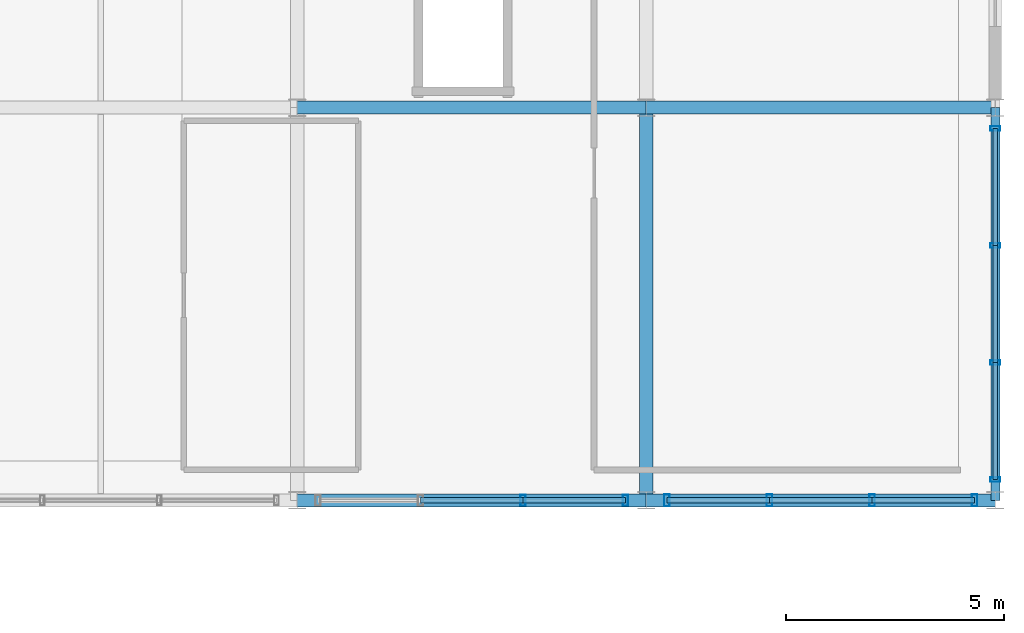
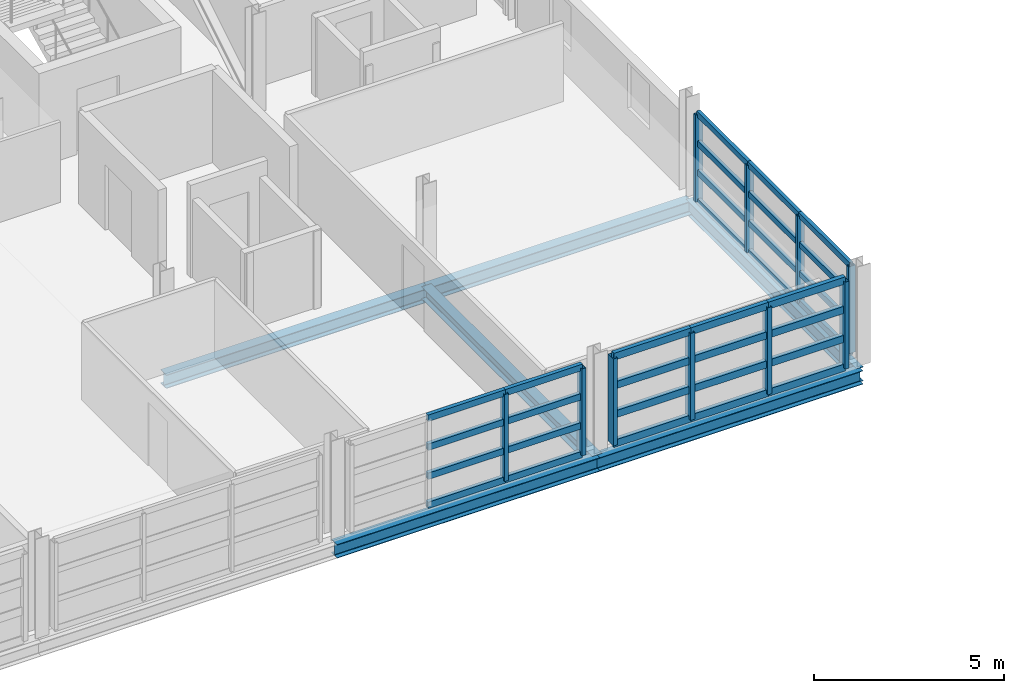
# One storey, part 43 of 86: 42 members, 6 beams, 3 elements without a shape of their own.
"""IFC4 building model written with IfcOpenShell, lengths in metres."""

from ifc_helpers import new_model, si_unit, direction, frame, origin, origin_2d, place, context, subcontext, project, spatial, hollow_rectangle, i_section, extrude, material, material_profile, profile_set, type_object, element, aggregate, save


model = new_model("IFC4")

# Units and contexts
model_context = context("Model", 3, precision=1e-05, world=origin(), true_north=direction((0.0, 1.0)))
body_context = subcontext(model_context, "Body", "Model", "MODEL_VIEW")
ifc_project = project(units=[si_unit("LENGTHUNIT", "METRE"), si_unit("AREAUNIT", "SQUARE_METRE"), si_unit("VOLUMEUNIT", "CUBIC_METRE"), si_unit("PLANEANGLEUNIT", "RADIAN"), si_unit("MASSUNIT", "GRAM", prefix="KILO")], contexts=[model_context])

# Site, building, storey
site_placement = place(None, origin())
site = spatial("IfcSite", under=ifc_project, at=site_placement, CompositionType="ELEMENT")
building_placement = place(site_placement, origin())
building = spatial("IfcBuilding", under=site, at=building_placement, Name="Chuanluo Vaults Station", CompositionType="ELEMENT")
storey_placement = place(building_placement, frame((0.0, 0.0, 14.39990234375)))
storey = spatial("IfcBuildingStorey", under=building, at=storey_placement, Name="L03", CompositionType="ELEMENT", Elevation=14.39990234375)

# Beams
ifc_material_1 = material(Name="Steel Q355C", Category="steel")
ifc_material_profile_1 = material_profile(ifc_material_1, i_section(OverallWidth=0.300048828125, OverallDepth=0.389892578125, WebThickness=0.010009765625, FlangeThickness=0.01611328125, FilletRadius=0.02001953125, at=origin_2d()))
ifc_profile_set_1 = profile_set([ifc_material_profile_1], Name="Steel Q355C")
beam_type_1 = type_object("IfcBeamType", Name="BM-GRD-400", PredefinedType="BEAM", material=ifc_profile_set_1)
beam_1_placement = place(storey_placement, frame((180.0, 67.5, -0.414794921875), z_axis=(0.0, 1.0, 0.0), x_axis=(-1.0, 0.0, 0.0)))
element("IfcBeam", 1, at=beam_1_placement, inside=storey, type_object=beam_type_1, Name="Floor girder BM:GY:L03:0828", PredefinedType="BEAM", context=body_context, shape_type="SweptSolid", body=[
    extrude(i_section(OverallWidth=0.300048828125, OverallDepth=0.389892578125, WebThickness=0.010009765625, FlangeThickness=0.01611328125, FilletRadius=0.02001953125, at=origin_2d()), origin(), (0.0, 0.0, 1.0), 9.0),
])
ifc_material_2 = material(Name="Steel Q355C", Category="steel")
ifc_material_profile_2 = material_profile(ifc_material_2, i_section(OverallWidth=0.300048828125, OverallDepth=0.43994140625, WebThickness=0.010986328125, FlangeThickness=0.01806640625, FilletRadius=0.02001953125, at=origin_2d()))
ifc_profile_set_2 = profile_set([ifc_material_profile_2], Name="Steel Q355C")
beam_type_2 = type_object("IfcBeamType", Name="BM-GRD-450", PredefinedType="USERDEFINED", material=ifc_profile_set_2)
for number, where, z_axis, x_axis, name in (
    (2, (172.0, 67.5, -0.43994140625), (1.0, 0.0, 0.0), (0.0, 1.0, 0.0), "Floor girder BM:GX:L03:0737"),
    (3, (180.0, 67.5, -0.43994140625), (1.0, 0.0, 0.0), (0.0, 1.0, 0.0), "Floor girder BM:GX:L03:0738"),
    (4, (172.0, 76.5, -0.43994140625), (1.0, 0.0, 0.0), (0.0, 1.0, 0.0), "Floor girder BM:GX:L03:0742"),
    (5, (180.0, 76.5, -0.43994140625), (1.0, 0.0, 0.0), (0.0, 1.0, 0.0), "Floor girder BM:GX:L03:0743"),
):
    element("IfcBeam", number, at=place(storey_placement, frame(where, z_axis=z_axis, x_axis=x_axis)), inside=storey, type_object=beam_type_2, Name=name, ObjectType="GIRDER", PredefinedType="USERDEFINED", context=body_context, shape_type="SweptSolid", body=[
        extrude(i_section(OverallWidth=0.300048828125, OverallDepth=0.43994140625, WebThickness=0.010986328125, FlangeThickness=0.01806640625, FilletRadius=0.02001953125, at=origin_2d()), origin(), (0.0, 0.0, 1.0), 8.0),
    ])
ifc_material_3 = material(Name="Steel Q355C", Category="steel")
ifc_material_profile_3 = material_profile(ifc_material_3, i_section(OverallWidth=0.205078125, OverallDepth=0.4599609375, WebThickness=0.009033203125, FlangeThickness=0.013916015625, FilletRadius=0.01611328125, at=origin_2d()))
ifc_profile_set_3 = profile_set([ifc_material_profile_3], Name="Steel Q355C")
beam_type_3 = type_object("IfcBeamType", Name="BM-SPN-450", PredefinedType="SPANDREL", material=ifc_profile_set_3)
beam_2_placement = place(storey_placement, frame((188.0, 67.5, -0.449951171875), z_axis=(0.0, 1.0, 0.0), x_axis=(-1.0, 0.0, 0.0)))
element("IfcBeam", 6, at=beam_2_placement, inside=storey, type_object=beam_type_3, Name="Floor girder BM:GY:L03:0834", PredefinedType="SPANDREL", context=body_context, shape_type="SweptSolid", body=[
    extrude(i_section(OverallWidth=0.205078125, OverallDepth=0.4599609375, WebThickness=0.009033203125, FlangeThickness=0.013916015625, FilletRadius=0.01611328125, at=origin_2d()), origin(), (0.0, 0.0, 1.0), 9.0),
])

# Curtain wall, members
ifc_material_4 = material(Name="Anodised aluminium 6063-T6", Category="aluminium")
curtain_wall_type_1 = type_object("IfcCurtainWallType", Name="CW-SYS-08", PredefinedType="NOTDEFINED", material=ifc_material_4)
curtain_wall_1_placement = place(storey_placement, origin())
curtain_wall_1 = element("IfcCurtainWall", 7, at=curtain_wall_1_placement, inside=storey, type_object=curtain_wall_type_1, Name="Operations L03 facade CW", PredefinedType="NOTDEFINED")
ifc_material_5 = material(Name="Anodised aluminium 6063-T6", Category="aluminium")
ifc_material_profile_4 = material_profile(ifc_material_5, hollow_rectangle(XDim=0.10498046875, YDim=0.219970703125, WallThickness=0.006103515625, at=origin_2d()))
ifc_profile_set_4 = profile_set([ifc_material_profile_4], Name="Anodised aluminium 6063-T6")
member_type_1 = type_object("IfcMemberType", Name="CWM-140", PredefinedType="MULLION", material=ifc_profile_set_4)
member_1_placement = place(storey_placement, frame((188.0, 76.02490234375, 0.0), z_axis=(0.0, 0.0, 1.0), x_axis=(0.0, -1.0, 0.0)))
member_1 = element("IfcMember", 8, at=member_1_placement, type_object=member_type_1, Name="Operations L03 facade CW mullion 1", PredefinedType="MULLION", context=body_context, shape_type="SweptSolid", body=[
    extrude(hollow_rectangle(XDim=0.10498046875, YDim=0.219970703125, WallThickness=0.006103515625, at=origin_2d()), origin(), (0.0, 0.0, 1.0), 2.800048828125),
])
member_2_placement = place(storey_placement, frame((188.0, 73.341796875, 0.0), z_axis=(0.0, 0.0, 1.0), x_axis=(0.0, -1.0, 0.0)))
member_2 = element("IfcMember", 9, at=member_2_placement, type_object=member_type_1, Name="Operations L03 facade CW mullion 2", PredefinedType="MULLION", context=body_context, shape_type="SweptSolid", body=[
    extrude(hollow_rectangle(XDim=0.10498046875, YDim=0.219970703125, WallThickness=0.006103515625, at=origin_2d()), origin(), (0.0, 0.0, 1.0), 2.800048828125),
])
member_3_placement = place(storey_placement, frame((188.0, 70.658203125, 0.0), z_axis=(0.0, 0.0, 1.0), x_axis=(0.0, -1.0, 0.0)))
member_3 = element("IfcMember", 10, at=member_3_placement, type_object=member_type_1, Name="Operations L03 facade CW mullion 3", PredefinedType="MULLION", context=body_context, shape_type="SweptSolid", body=[
    extrude(hollow_rectangle(XDim=0.10498046875, YDim=0.219970703125, WallThickness=0.006103515625, at=origin_2d()), origin(), (0.0, 0.0, 1.0), 2.800048828125),
])
member_4_placement = place(storey_placement, frame((188.0, 67.97509765625, 0.0), z_axis=(0.0, 0.0, 1.0), x_axis=(0.0, -1.0, 0.0)))
member_4 = element("IfcMember", 11, at=member_4_placement, type_object=member_type_1, Name="Operations L03 facade CW mullion 4", PredefinedType="MULLION", context=body_context, shape_type="SweptSolid", body=[
    extrude(hollow_rectangle(XDim=0.10498046875, YDim=0.219970703125, WallThickness=0.006103515625, at=origin_2d()), origin(), (0.0, 0.0, 1.0), 2.800048828125),
])

ifc_material_6 = material(Name="Anodised aluminium 6063-T6", Category="aluminium")
curtain_wall_type_2 = type_object("IfcCurtainWallType", Name="CW-SYS-19", PredefinedType="NOTDEFINED", material=ifc_material_6)
curtain_wall_2_placement = place(storey_placement, origin())
curtain_wall_2 = element("IfcCurtainWall", 12, at=curtain_wall_2_placement, inside=storey, type_object=curtain_wall_type_2, Name="Operations L03 facade CW part 2", PredefinedType="NOTDEFINED")
ifc_material_7 = material(Name="Anodised aluminium 6063-T6", Category="aluminium")
ifc_material_profile_5 = material_profile(ifc_material_7, hollow_rectangle(XDim=0.1201171875, YDim=0.25, WallThickness=0.006103515625, at=origin_2d()))
ifc_profile_set_5 = profile_set([ifc_material_profile_5], Name="Anodised aluminium 6063-T6")
member_type_2 = type_object("IfcMemberType", Name="CWM-160", PredefinedType="MULLION", material=ifc_profile_set_5)
member_5_placement = place(storey_placement, frame((179.52490234375, 67.5, 0.0), z_axis=(0.0, 0.0, 1.0), x_axis=(-1.0, 0.0, 0.0)))
member_5 = element("IfcMember", 13, at=member_5_placement, type_object=member_type_2, Name="Operations L03 facade CW part 2 mullion 1", PredefinedType="MULLION", context=body_context, shape_type="SweptSolid", body=[
    extrude(hollow_rectangle(XDim=0.1201171875, YDim=0.25, WallThickness=0.006103515625, at=origin_2d()), origin(), (0.0, 0.0, 1.0), 2.800048828125),
])
member_6_placement = place(storey_placement, frame((177.175048828125, 67.5, 0.0), z_axis=(0.0, 0.0, 1.0), x_axis=(-1.0, 0.0, 0.0)))
member_6 = element("IfcMember", 14, at=member_6_placement, type_object=member_type_2, Name="Operations L03 facade CW part 2 mullion 2", PredefinedType="MULLION", context=body_context, shape_type="SweptSolid", body=[
    extrude(hollow_rectangle(XDim=0.1201171875, YDim=0.25, WallThickness=0.006103515625, at=origin_2d()), origin(), (0.0, 0.0, 1.0), 2.800048828125),
])

ifc_material_8 = material(Name="Anodised aluminium 6063-T6", Category="aluminium")
curtain_wall_type_3 = type_object("IfcCurtainWallType", Name="CW-SYS-18", PredefinedType="NOTDEFINED", material=ifc_material_8)
curtain_wall_3_placement = place(storey_placement, origin())
curtain_wall_3 = element("IfcCurtainWall", 15, at=curtain_wall_3_placement, inside=storey, type_object=curtain_wall_type_3, Name="Operations L03 facade CW part 1", PredefinedType="NOTDEFINED")
ifc_material_9 = material(Name="Anodised aluminium 6063-T6", Category="aluminium")
ifc_material_profile_6 = material_profile(ifc_material_9, hollow_rectangle(XDim=0.1298828125, YDim=0.280029296875, WallThickness=0.007080078125, at=origin_2d()))
ifc_profile_set_6 = profile_set([ifc_material_profile_6], Name="Anodised aluminium 6063-T6")
member_type_3 = type_object("IfcMemberType", Name="CWM-180", PredefinedType="MULLION", material=ifc_profile_set_6)
member_7_placement = place(storey_placement, frame((187.52490234375, 67.5, 0.0), z_axis=(0.0, 0.0, 1.0), x_axis=(-1.0, 0.0, 0.0)))
member_7 = element("IfcMember", 16, at=member_7_placement, type_object=member_type_3, Name="Operations L03 facade CW part 1 mullion 1", PredefinedType="MULLION", context=body_context, shape_type="SweptSolid", body=[
    extrude(hollow_rectangle(XDim=0.1298828125, YDim=0.280029296875, WallThickness=0.007080078125, at=origin_2d()), origin(), (0.0, 0.0, 1.0), 2.800048828125),
])
member_8_placement = place(storey_placement, frame((185.175048828125, 67.5, 0.0), z_axis=(0.0, 0.0, 1.0), x_axis=(-1.0, 0.0, 0.0)))
member_8 = element("IfcMember", 17, at=member_8_placement, type_object=member_type_3, Name="Operations L03 facade CW part 1 mullion 2", PredefinedType="MULLION", context=body_context, shape_type="SweptSolid", body=[
    extrude(hollow_rectangle(XDim=0.1298828125, YDim=0.280029296875, WallThickness=0.007080078125, at=origin_2d()), origin(), (0.0, 0.0, 1.0), 2.800048828125),
])
member_9_placement = place(storey_placement, frame((182.824951171875, 67.5, 0.0), z_axis=(0.0, 0.0, 1.0), x_axis=(-1.0, 0.0, 0.0)))
member_9 = element("IfcMember", 18, at=member_9_placement, type_object=member_type_3, Name="Operations L03 facade CW part 1 mullion 3", PredefinedType="MULLION", context=body_context, shape_type="SweptSolid", body=[
    extrude(hollow_rectangle(XDim=0.1298828125, YDim=0.280029296875, WallThickness=0.007080078125, at=origin_2d()), origin(), (0.0, 0.0, 1.0), 2.800048828125),
])
member_10_placement = place(storey_placement, frame((180.47509765625, 67.5, 0.0), z_axis=(0.0, 0.0, 1.0), x_axis=(-1.0, 0.0, 0.0)))
member_10 = element("IfcMember", 19, at=member_10_placement, type_object=member_type_3, Name="Operations L03 facade CW part 1 mullion 4", PredefinedType="MULLION", context=body_context, shape_type="SweptSolid", body=[
    extrude(hollow_rectangle(XDim=0.1298828125, YDim=0.280029296875, WallThickness=0.007080078125, at=origin_2d()), origin(), (0.0, 0.0, 1.0), 2.800048828125),
])

# Member
ifc_material_10 = material(Name="Anodised aluminium 6063-T6", Category="aluminium")
ifc_material_profile_7 = material_profile(ifc_material_10, hollow_rectangle(XDim=0.10498046875, YDim=0.18505859375, WallThickness=0.0048828125, at=origin_2d()))
ifc_profile_set_7 = profile_set([ifc_material_profile_7], Name="Anodised aluminium 6063-T6")
member_type_4 = type_object("IfcMemberType", Name="CWT-110", PredefinedType="USERDEFINED", material=ifc_profile_set_7)
member_11_placement = place(storey_placement, frame((188.0, 76.02490234375, 0.0), z_axis=(0.0, -1.0, 0.0), x_axis=(1.0, 0.0, 0.0)))
member_11 = element("IfcMember", 20, at=member_11_placement, type_object=member_type_4, Name="Operations L03 facade CW transom 1.1", ObjectType="TRANSOM", PredefinedType="USERDEFINED", context=body_context, shape_type="SweptSolid", body=[
    extrude(hollow_rectangle(XDim=0.10498046875, YDim=0.18505859375, WallThickness=0.0048828125, at=origin_2d()), origin(), (0.0, 0.0, 1.0), 2.68310546875),
])

member_12_placement = place(storey_placement, frame((188.0, 76.02490234375, 0.933349609375), z_axis=(0.0, -1.0, 0.0), x_axis=(1.0, 0.0, 0.0)))
member_12 = element("IfcMember", 21, at=member_12_placement, type_object=member_type_4, Name="Operations L03 facade CW transom 1.2", ObjectType="TRANSOM", PredefinedType="USERDEFINED", context=body_context, shape_type="SweptSolid", body=[
    extrude(hollow_rectangle(XDim=0.10498046875, YDim=0.18505859375, WallThickness=0.0048828125, at=origin_2d()), origin(), (0.0, 0.0, 1.0), 2.68310546875),
])

member_13_placement = place(storey_placement, frame((188.0, 76.02490234375, 1.86669921875), z_axis=(0.0, -1.0, 0.0), x_axis=(1.0, 0.0, 0.0)))
member_13 = element("IfcMember", 22, at=member_13_placement, type_object=member_type_4, Name="Operations L03 facade CW transom 1.3", ObjectType="TRANSOM", PredefinedType="USERDEFINED", context=body_context, shape_type="SweptSolid", body=[
    extrude(hollow_rectangle(XDim=0.10498046875, YDim=0.18505859375, WallThickness=0.0048828125, at=origin_2d()), origin(), (0.0, 0.0, 1.0), 2.68310546875),
])

member_14_placement = place(storey_placement, frame((188.0, 76.02490234375, 2.800048828125), z_axis=(0.0, -1.0, 0.0), x_axis=(1.0, 0.0, 0.0)))
member_14 = element("IfcMember", 23, at=member_14_placement, type_object=member_type_4, Name="Operations L03 facade CW transom 1.4", ObjectType="TRANSOM", PredefinedType="USERDEFINED", context=body_context, shape_type="SweptSolid", body=[
    extrude(hollow_rectangle(XDim=0.10498046875, YDim=0.18505859375, WallThickness=0.0048828125, at=origin_2d()), origin(), (0.0, 0.0, 1.0), 2.68310546875),
])

member_15_placement = place(storey_placement, frame((188.0, 73.341796875, 0.0), z_axis=(0.0, -1.0, 0.0), x_axis=(1.0, 0.0, 0.0)))
member_15 = element("IfcMember", 24, at=member_15_placement, type_object=member_type_4, Name="Operations L03 facade CW transom 2.1", ObjectType="TRANSOM", PredefinedType="USERDEFINED", context=body_context, shape_type="SweptSolid", body=[
    extrude(hollow_rectangle(XDim=0.10498046875, YDim=0.18505859375, WallThickness=0.0048828125, at=origin_2d()), origin(), (0.0, 0.0, 1.0), 2.68359375),
])

member_16_placement = place(storey_placement, frame((188.0, 73.341796875, 0.933349609375), z_axis=(0.0, -1.0, 0.0), x_axis=(1.0, 0.0, 0.0)))
member_16 = element("IfcMember", 25, at=member_16_placement, type_object=member_type_4, Name="Operations L03 facade CW transom 2.2", ObjectType="TRANSOM", PredefinedType="USERDEFINED", context=body_context, shape_type="SweptSolid", body=[
    extrude(hollow_rectangle(XDim=0.10498046875, YDim=0.18505859375, WallThickness=0.0048828125, at=origin_2d()), origin(), (0.0, 0.0, 1.0), 2.68359375),
])

member_17_placement = place(storey_placement, frame((188.0, 73.341796875, 1.86669921875), z_axis=(0.0, -1.0, 0.0), x_axis=(1.0, 0.0, 0.0)))
member_17 = element("IfcMember", 26, at=member_17_placement, type_object=member_type_4, Name="Operations L03 facade CW transom 2.3", ObjectType="TRANSOM", PredefinedType="USERDEFINED", context=body_context, shape_type="SweptSolid", body=[
    extrude(hollow_rectangle(XDim=0.10498046875, YDim=0.18505859375, WallThickness=0.0048828125, at=origin_2d()), origin(), (0.0, 0.0, 1.0), 2.68359375),
])

member_18_placement = place(storey_placement, frame((188.0, 73.341796875, 2.800048828125), z_axis=(0.0, -1.0, 0.0), x_axis=(1.0, 0.0, 0.0)))
member_18 = element("IfcMember", 27, at=member_18_placement, type_object=member_type_4, Name="Operations L03 facade CW transom 2.4", ObjectType="TRANSOM", PredefinedType="USERDEFINED", context=body_context, shape_type="SweptSolid", body=[
    extrude(hollow_rectangle(XDim=0.10498046875, YDim=0.18505859375, WallThickness=0.0048828125, at=origin_2d()), origin(), (0.0, 0.0, 1.0), 2.68359375),
])

member_19_placement = place(storey_placement, frame((188.0, 70.658203125, 0.0), z_axis=(0.0, -1.0, 0.0), x_axis=(1.0, 0.0, 0.0)))
member_19 = element("IfcMember", 28, at=member_19_placement, type_object=member_type_4, Name="Operations L03 facade CW transom 3.1", ObjectType="TRANSOM", PredefinedType="USERDEFINED", context=body_context, shape_type="SweptSolid", body=[
    extrude(hollow_rectangle(XDim=0.10498046875, YDim=0.18505859375, WallThickness=0.0048828125, at=origin_2d()), origin(), (0.0, 0.0, 1.0), 2.68310546875),
])

member_20_placement = place(storey_placement, frame((188.0, 70.658203125, 0.933349609375), z_axis=(0.0, -1.0, 0.0), x_axis=(1.0, 0.0, 0.0)))
member_20 = element("IfcMember", 29, at=member_20_placement, type_object=member_type_4, Name="Operations L03 facade CW transom 3.2", ObjectType="TRANSOM", PredefinedType="USERDEFINED", context=body_context, shape_type="SweptSolid", body=[
    extrude(hollow_rectangle(XDim=0.10498046875, YDim=0.18505859375, WallThickness=0.0048828125, at=origin_2d()), origin(), (0.0, 0.0, 1.0), 2.68310546875),
])

member_21_placement = place(storey_placement, frame((188.0, 70.658203125, 1.86669921875), z_axis=(0.0, -1.0, 0.0), x_axis=(1.0, 0.0, 0.0)))
member_21 = element("IfcMember", 30, at=member_21_placement, type_object=member_type_4, Name="Operations L03 facade CW transom 3.3", ObjectType="TRANSOM", PredefinedType="USERDEFINED", context=body_context, shape_type="SweptSolid", body=[
    extrude(hollow_rectangle(XDim=0.10498046875, YDim=0.18505859375, WallThickness=0.0048828125, at=origin_2d()), origin(), (0.0, 0.0, 1.0), 2.68310546875),
])

member_22_placement = place(storey_placement, frame((188.0, 70.658203125, 2.800048828125), z_axis=(0.0, -1.0, 0.0), x_axis=(1.0, 0.0, 0.0)))
member_22 = element("IfcMember", 31, at=member_22_placement, type_object=member_type_4, Name="Operations L03 facade CW transom 3.4", ObjectType="TRANSOM", PredefinedType="USERDEFINED", context=body_context, shape_type="SweptSolid", body=[
    extrude(hollow_rectangle(XDim=0.10498046875, YDim=0.18505859375, WallThickness=0.0048828125, at=origin_2d()), origin(), (0.0, 0.0, 1.0), 2.68310546875),
])

aggregate(curtain_wall_1, [member_1, member_2, member_3, member_4, member_11, member_12, member_13, member_14, member_15, member_16, member_17, member_18, member_19, member_20, member_21, member_22])

ifc_material_11 = material(Name="Anodised aluminium 6063-T6", Category="aluminium")
ifc_material_profile_8 = material_profile(ifc_material_11, hollow_rectangle(XDim=0.1201171875, YDim=0.205078125, WallThickness=0.006103515625, at=origin_2d()))
ifc_profile_set_8 = profile_set([ifc_material_profile_8], Name="Anodised aluminium 6063-T6")
member_type_5 = type_object("IfcMemberType", Name="CWT-130", PredefinedType="USERDEFINED", material=ifc_profile_set_8)
member_23_placement = place(storey_placement, frame((179.52490234375, 67.5, 0.0), z_axis=(-1.0, 0.0, 0.0), x_axis=(0.0, -1.0, 0.0)))
member_23 = element("IfcMember", 32, at=member_23_placement, type_object=member_type_5, Name="Operations L03 facade CW part 2 transom 1.1", ObjectType="TRANSOM", PredefinedType="USERDEFINED", context=body_context, shape_type="SweptSolid", body=[
    extrude(hollow_rectangle(XDim=0.1201171875, YDim=0.205078125, WallThickness=0.006103515625, at=origin_2d()), origin(), (0.0, 0.0, 1.0), 2.349853515625),
])

member_24_placement = place(storey_placement, frame((179.52490234375, 67.5, 0.933349609375), z_axis=(-1.0, 0.0, 0.0), x_axis=(0.0, -1.0, 0.0)))
member_24 = element("IfcMember", 33, at=member_24_placement, type_object=member_type_5, Name="Operations L03 facade CW part 2 transom 1.2", ObjectType="TRANSOM", PredefinedType="USERDEFINED", context=body_context, shape_type="SweptSolid", body=[
    extrude(hollow_rectangle(XDim=0.1201171875, YDim=0.205078125, WallThickness=0.006103515625, at=origin_2d()), origin(), (0.0, 0.0, 1.0), 2.349853515625),
])

member_25_placement = place(storey_placement, frame((179.52490234375, 67.5, 1.86669921875), z_axis=(-1.0, 0.0, 0.0), x_axis=(0.0, -1.0, 0.0)))
member_25 = element("IfcMember", 34, at=member_25_placement, type_object=member_type_5, Name="Operations L03 facade CW part 2 transom 1.3", ObjectType="TRANSOM", PredefinedType="USERDEFINED", context=body_context, shape_type="SweptSolid", body=[
    extrude(hollow_rectangle(XDim=0.1201171875, YDim=0.205078125, WallThickness=0.006103515625, at=origin_2d()), origin(), (0.0, 0.0, 1.0), 2.349853515625),
])

member_26_placement = place(storey_placement, frame((179.52490234375, 67.5, 2.800048828125), z_axis=(-1.0, 0.0, 0.0), x_axis=(0.0, -1.0, 0.0)))
member_26 = element("IfcMember", 35, at=member_26_placement, type_object=member_type_5, Name="Operations L03 facade CW part 2 transom 1.4", ObjectType="TRANSOM", PredefinedType="USERDEFINED", context=body_context, shape_type="SweptSolid", body=[
    extrude(hollow_rectangle(XDim=0.1201171875, YDim=0.205078125, WallThickness=0.006103515625, at=origin_2d()), origin(), (0.0, 0.0, 1.0), 2.349853515625),
])

member_27_placement = place(storey_placement, frame((177.175048828125, 67.5, 0.0), z_axis=(-1.0, 0.0, 0.0), x_axis=(0.0, -1.0, 0.0)))
member_27 = element("IfcMember", 36, at=member_27_placement, type_object=member_type_5, Name="Operations L03 facade CW part 2 transom 2.1", ObjectType="TRANSOM", PredefinedType="USERDEFINED", context=body_context, shape_type="SweptSolid", body=[
    extrude(hollow_rectangle(XDim=0.1201171875, YDim=0.205078125, WallThickness=0.006103515625, at=origin_2d()), origin(), (0.0, 0.0, 1.0), 2.35009765625),
])

member_28_placement = place(storey_placement, frame((177.175048828125, 67.5, 0.933349609375), z_axis=(-1.0, 0.0, 0.0), x_axis=(0.0, -1.0, 0.0)))
member_28 = element("IfcMember", 37, at=member_28_placement, type_object=member_type_5, Name="Operations L03 facade CW part 2 transom 2.2", ObjectType="TRANSOM", PredefinedType="USERDEFINED", context=body_context, shape_type="SweptSolid", body=[
    extrude(hollow_rectangle(XDim=0.1201171875, YDim=0.205078125, WallThickness=0.006103515625, at=origin_2d()), origin(), (0.0, 0.0, 1.0), 2.35009765625),
])

member_29_placement = place(storey_placement, frame((177.175048828125, 67.5, 1.86669921875), z_axis=(-1.0, 0.0, 0.0), x_axis=(0.0, -1.0, 0.0)))
member_29 = element("IfcMember", 38, at=member_29_placement, type_object=member_type_5, Name="Operations L03 facade CW part 2 transom 2.3", ObjectType="TRANSOM", PredefinedType="USERDEFINED", context=body_context, shape_type="SweptSolid", body=[
    extrude(hollow_rectangle(XDim=0.1201171875, YDim=0.205078125, WallThickness=0.006103515625, at=origin_2d()), origin(), (0.0, 0.0, 1.0), 2.35009765625),
])

member_30_placement = place(storey_placement, frame((177.175048828125, 67.5, 2.800048828125), z_axis=(-1.0, 0.0, 0.0), x_axis=(0.0, -1.0, 0.0)))
member_30 = element("IfcMember", 39, at=member_30_placement, type_object=member_type_5, Name="Operations L03 facade CW part 2 transom 2.4", ObjectType="TRANSOM", PredefinedType="USERDEFINED", context=body_context, shape_type="SweptSolid", body=[
    extrude(hollow_rectangle(XDim=0.1201171875, YDim=0.205078125, WallThickness=0.006103515625, at=origin_2d()), origin(), (0.0, 0.0, 1.0), 2.35009765625),
])

aggregate(curtain_wall_2, [member_5, member_6, member_23, member_24, member_25, member_26, member_27, member_28, member_29, member_30])

ifc_material_12 = material(Name="Anodised aluminium 6063-T6", Category="aluminium")
ifc_material_profile_9 = material_profile(ifc_material_12, hollow_rectangle(XDim=0.1298828125, YDim=0.22998046875, WallThickness=0.006103515625, at=origin_2d()))
ifc_profile_set_9 = profile_set([ifc_material_profile_9], Name="Anodised aluminium 6063-T6")
member_type_6 = type_object("IfcMemberType", Name="CWT-150", PredefinedType="USERDEFINED", material=ifc_profile_set_9)
member_31_placement = place(storey_placement, frame((187.52490234375, 67.5, 0.0), z_axis=(-1.0, 0.0, 0.0), x_axis=(0.0, -1.0, 0.0)))
member_31 = element("IfcMember", 40, at=member_31_placement, type_object=member_type_6, Name="Operations L03 facade CW part 1 transom 1.1", ObjectType="TRANSOM", PredefinedType="USERDEFINED", context=body_context, shape_type="SweptSolid", body=[
    extrude(hollow_rectangle(XDim=0.1298828125, YDim=0.22998046875, WallThickness=0.006103515625, at=origin_2d()), origin(), (0.0, 0.0, 1.0), 2.349853515625),
])

member_32_placement = place(storey_placement, frame((187.52490234375, 67.5, 0.933349609375), z_axis=(-1.0, 0.0, 0.0), x_axis=(0.0, -1.0, 0.0)))
member_32 = element("IfcMember", 41, at=member_32_placement, type_object=member_type_6, Name="Operations L03 facade CW part 1 transom 1.2", ObjectType="TRANSOM", PredefinedType="USERDEFINED", context=body_context, shape_type="SweptSolid", body=[
    extrude(hollow_rectangle(XDim=0.1298828125, YDim=0.22998046875, WallThickness=0.006103515625, at=origin_2d()), origin(), (0.0, 0.0, 1.0), 2.349853515625),
])

member_33_placement = place(storey_placement, frame((187.52490234375, 67.5, 1.86669921875), z_axis=(-1.0, 0.0, 0.0), x_axis=(0.0, -1.0, 0.0)))
member_33 = element("IfcMember", 42, at=member_33_placement, type_object=member_type_6, Name="Operations L03 facade CW part 1 transom 1.3", ObjectType="TRANSOM", PredefinedType="USERDEFINED", context=body_context, shape_type="SweptSolid", body=[
    extrude(hollow_rectangle(XDim=0.1298828125, YDim=0.22998046875, WallThickness=0.006103515625, at=origin_2d()), origin(), (0.0, 0.0, 1.0), 2.349853515625),
])

member_34_placement = place(storey_placement, frame((187.52490234375, 67.5, 2.800048828125), z_axis=(-1.0, 0.0, 0.0), x_axis=(0.0, -1.0, 0.0)))
member_34 = element("IfcMember", 43, at=member_34_placement, type_object=member_type_6, Name="Operations L03 facade CW part 1 transom 1.4", ObjectType="TRANSOM", PredefinedType="USERDEFINED", context=body_context, shape_type="SweptSolid", body=[
    extrude(hollow_rectangle(XDim=0.1298828125, YDim=0.22998046875, WallThickness=0.006103515625, at=origin_2d()), origin(), (0.0, 0.0, 1.0), 2.349853515625),
])

member_35_placement = place(storey_placement, frame((185.175048828125, 67.5, 0.0), z_axis=(-1.0, 0.0, 0.0), x_axis=(0.0, -1.0, 0.0)))
member_35 = element("IfcMember", 44, at=member_35_placement, type_object=member_type_6, Name="Operations L03 facade CW part 1 transom 2.1", ObjectType="TRANSOM", PredefinedType="USERDEFINED", context=body_context, shape_type="SweptSolid", body=[
    extrude(hollow_rectangle(XDim=0.1298828125, YDim=0.22998046875, WallThickness=0.006103515625, at=origin_2d()), origin(), (0.0, 0.0, 1.0), 2.35009765625),
])

member_36_placement = place(storey_placement, frame((185.175048828125, 67.5, 0.933349609375), z_axis=(-1.0, 0.0, 0.0), x_axis=(0.0, -1.0, 0.0)))
member_36 = element("IfcMember", 45, at=member_36_placement, type_object=member_type_6, Name="Operations L03 facade CW part 1 transom 2.2", ObjectType="TRANSOM", PredefinedType="USERDEFINED", context=body_context, shape_type="SweptSolid", body=[
    extrude(hollow_rectangle(XDim=0.1298828125, YDim=0.22998046875, WallThickness=0.006103515625, at=origin_2d()), origin(), (0.0, 0.0, 1.0), 2.35009765625),
])

member_37_placement = place(storey_placement, frame((185.175048828125, 67.5, 1.86669921875), z_axis=(-1.0, 0.0, 0.0), x_axis=(0.0, -1.0, 0.0)))
member_37 = element("IfcMember", 46, at=member_37_placement, type_object=member_type_6, Name="Operations L03 facade CW part 1 transom 2.3", ObjectType="TRANSOM", PredefinedType="USERDEFINED", context=body_context, shape_type="SweptSolid", body=[
    extrude(hollow_rectangle(XDim=0.1298828125, YDim=0.22998046875, WallThickness=0.006103515625, at=origin_2d()), origin(), (0.0, 0.0, 1.0), 2.35009765625),
])

member_38_placement = place(storey_placement, frame((185.175048828125, 67.5, 2.800048828125), z_axis=(-1.0, 0.0, 0.0), x_axis=(0.0, -1.0, 0.0)))
member_38 = element("IfcMember", 47, at=member_38_placement, type_object=member_type_6, Name="Operations L03 facade CW part 1 transom 2.4", ObjectType="TRANSOM", PredefinedType="USERDEFINED", context=body_context, shape_type="SweptSolid", body=[
    extrude(hollow_rectangle(XDim=0.1298828125, YDim=0.22998046875, WallThickness=0.006103515625, at=origin_2d()), origin(), (0.0, 0.0, 1.0), 2.35009765625),
])

member_39_placement = place(storey_placement, frame((182.824951171875, 67.5, 0.0), z_axis=(-1.0, 0.0, 0.0), x_axis=(0.0, -1.0, 0.0)))
member_39 = element("IfcMember", 48, at=member_39_placement, type_object=member_type_6, Name="Operations L03 facade CW part 1 transom 3.1", ObjectType="TRANSOM", PredefinedType="USERDEFINED", context=body_context, shape_type="SweptSolid", body=[
    extrude(hollow_rectangle(XDim=0.1298828125, YDim=0.22998046875, WallThickness=0.006103515625, at=origin_2d()), origin(), (0.0, 0.0, 1.0), 2.349853515625),
])

member_40_placement = place(storey_placement, frame((182.824951171875, 67.5, 0.933349609375), z_axis=(-1.0, 0.0, 0.0), x_axis=(0.0, -1.0, 0.0)))
member_40 = element("IfcMember", 49, at=member_40_placement, type_object=member_type_6, Name="Operations L03 facade CW part 1 transom 3.2", ObjectType="TRANSOM", PredefinedType="USERDEFINED", context=body_context, shape_type="SweptSolid", body=[
    extrude(hollow_rectangle(XDim=0.1298828125, YDim=0.22998046875, WallThickness=0.006103515625, at=origin_2d()), origin(), (0.0, 0.0, 1.0), 2.349853515625),
])

member_41_placement = place(storey_placement, frame((182.824951171875, 67.5, 1.86669921875), z_axis=(-1.0, 0.0, 0.0), x_axis=(0.0, -1.0, 0.0)))
member_41 = element("IfcMember", 50, at=member_41_placement, type_object=member_type_6, Name="Operations L03 facade CW part 1 transom 3.3", ObjectType="TRANSOM", PredefinedType="USERDEFINED", context=body_context, shape_type="SweptSolid", body=[
    extrude(hollow_rectangle(XDim=0.1298828125, YDim=0.22998046875, WallThickness=0.006103515625, at=origin_2d()), origin(), (0.0, 0.0, 1.0), 2.349853515625),
])

member_42_placement = place(storey_placement, frame((182.824951171875, 67.5, 2.800048828125), z_axis=(-1.0, 0.0, 0.0), x_axis=(0.0, -1.0, 0.0)))
member_42 = element("IfcMember", 51, at=member_42_placement, type_object=member_type_6, Name="Operations L03 facade CW part 1 transom 3.4", ObjectType="TRANSOM", PredefinedType="USERDEFINED", context=body_context, shape_type="SweptSolid", body=[
    extrude(hollow_rectangle(XDim=0.1298828125, YDim=0.22998046875, WallThickness=0.006103515625, at=origin_2d()), origin(), (0.0, 0.0, 1.0), 2.349853515625),
])

aggregate(curtain_wall_3, [member_7, member_8, member_9, member_10, member_31, member_32, member_33, member_34, member_35, member_36, member_37, member_38, member_39, member_40, member_41, member_42])

save(model, "model.ifc")
